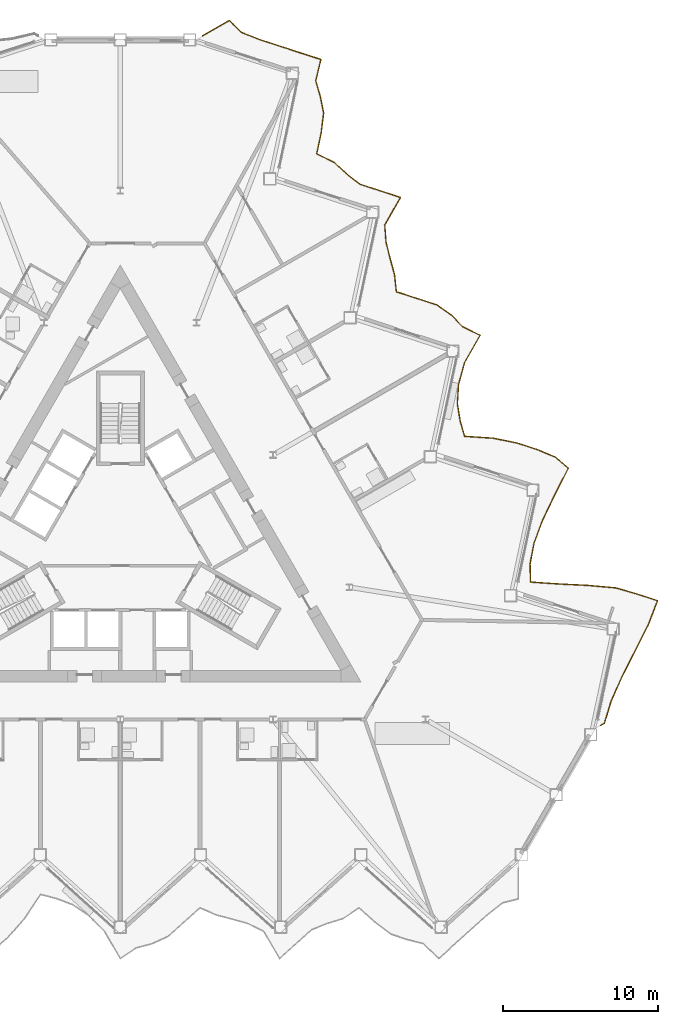
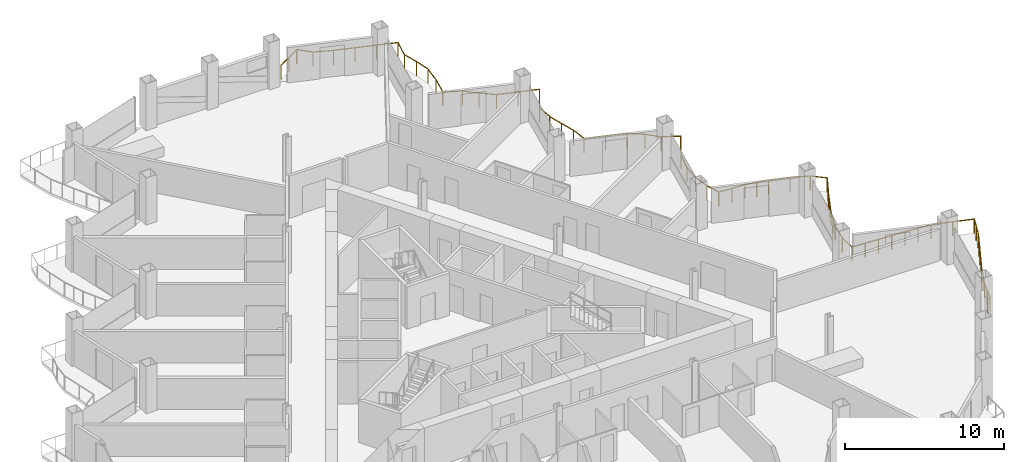
# One storey, part 21 of 23: 1 railing.
"""IFC4 building model written with IfcOpenShell, lengths in metres."""

from ifc_helpers import new_model, si_unit, direction, frame, origin, origin_2d, place, context, subcontext, project, spatial, circle, extrude, material, type_object, element, save


model = new_model("IFC4")

# Units and contexts
model_context = context("Model", 3, precision=1e-05, world=origin(), true_north=direction((0.0, 1.0)))
body_context = subcontext(model_context, "Body", "Model", "MODEL_VIEW")
ifc_project = project(units=[si_unit("LENGTHUNIT", "METRE"), si_unit("AREAUNIT", "SQUARE_METRE"), si_unit("VOLUMEUNIT", "CUBIC_METRE"), si_unit("PLANEANGLEUNIT", "RADIAN"), si_unit("MASSUNIT", "GRAM", prefix="KILO")], contexts=[model_context])

# Site, building, storey
site_placement = place(None, origin())
site = spatial("IfcSite", under=ifc_project, at=site_placement, CompositionType="ELEMENT")
building_placement = place(site_placement, origin())
building = spatial("IfcBuilding", under=site, at=building_placement, Name="Cormorant Prow Tower", CompositionType="ELEMENT")
storey_placement = place(building_placement, frame((0.0, 0.0, 180.0)))
storey = spatial("IfcBuildingStorey", under=building, at=storey_placement, Name="L38", CompositionType="ELEMENT", Elevation=180.0)

# Railing
ifc_material = material(Name="Aluminium 6063-T6", Category="aluminium")
railing_type = type_object("IfcRailingType", Name="Balcony guard 1100", PredefinedType="GUARDRAIL", material=ifc_material)
railing_placement = place(storey_placement, frame((30.9365234375, -11.740234375, 0.0)))
element("IfcRailing", 1, at=railing_placement, inside=storey, type_object=railing_type, Name="Balcony guard ENE", PredefinedType="GUARDRAIL", context=body_context, shape_type="SweptSolid", body=[
    extrude(circle(Radius=0.02392578125, at=origin_2d()), frame((0.0, 0.0, 1.076171875), z_axis=(0.866065156741, 0.499931139538, 0.0), x_axis=(-0.499931139538, 0.866065156741, 0.0)), (0.0, 0.0, 1.0), 0.27001953125),
    extrude(circle(Radius=0.02392578125, at=origin_2d()), frame((0.23388671875, 0.135009765625, 1.076171875), z_axis=(0.293516032745, 0.955954150847, 0.0), x_axis=(-0.955954150847, 0.293516032745, 0.0)), (0.0, 0.0, 1.0), 1.505615234375),
    extrude(circle(Radius=0.02392578125, at=origin_2d()), frame((0.67578125, 1.57421875, 1.076171875), z_axis=(0.406008472679, 0.913869312382, 0.0), x_axis=(-0.913869312382, 0.406008472679, 0.0)), (0.0, 0.0, 1.0), 1.74267578125),
    extrude(circle(Radius=0.02392578125, at=origin_2d()), frame((1.38330078125, 3.166748046875, 1.076171875), z_axis=(0.453484375537, 0.891264226335, 0.0), x_axis=(-0.891264226335, 0.453484375537, 0.0)), (0.0, 0.0, 1.0), 1.881103515625),
    extrude(circle(Radius=0.02392578125, at=origin_2d()), frame((2.236328125, 4.84326171875, 1.076171875), z_axis=(0.448208464574, 0.893929064459, 0.0), x_axis=(-0.893929064459, 0.448208464574, 0.0)), (0.0, 0.0, 1.0), 1.864501953125),
    extrude(circle(Radius=0.02392578125, at=origin_2d()), frame((3.072021484375, 6.510009765625, 1.076171875), z_axis=(0.360150924711, 0.932894051556, 0.0), x_axis=(-0.932894051556, 0.360150924711, 0.0)), (0.0, 0.0, 1.0), 1.633056640625),
    extrude(circle(Radius=0.02392578125, at=origin_2d()), frame((3.66015625, 8.033447265625, 1.076171875), z_axis=(-0.951096454731, 0.308894049472, 0.0), x_axis=(-0.308894049472, -0.951096454731, 0.0)), (0.0, 0.0, 1.0), 1.3798828125),
    extrude(circle(Radius=0.02392578125, at=origin_2d()), frame((2.34765625, 8.459716796875, 1.076171875), z_axis=(-0.959696633934, 0.28103802379, 0.0), x_axis=(-0.28103802379, -0.959696633934, 0.0)), (0.0, 0.0, 1.0), 1.417724609375),
    extrude(circle(Radius=0.02392578125, at=origin_2d()), frame((0.987060546875, 8.858154296875, 1.076171875), z_axis=(-0.99596256154, 0.089769571736, 0.0), x_axis=(-0.089769571736, -0.99596256154, 0.0)), (0.0, 0.0, 1.0), 1.78125),
    extrude(circle(Radius=0.02392578125, at=origin_2d()), frame((-0.787109375, 9.01806640625, 1.076171875), z_axis=(-0.99876998627, 0.04958340979, 0.0), x_axis=(-0.04958340979, -0.99876998627, 0.0)), (0.0, 0.0, 1.0), 1.890869140625),
    extrude(circle(Radius=0.02392578125, at=origin_2d()), frame((-2.675537109375, 9.11181640625, 1.076171875), z_axis=(-0.997766351323, 0.066800510237, 0.0), x_axis=(-0.066800510237, -0.997766351323, 0.0)), (0.0, 0.0, 1.0), 1.842041015625),
    extrude(circle(Radius=0.02392578125, at=origin_2d()), frame((-4.513427734375, 9.23486328125, 1.076171875), z_axis=(-0.031903113576, 0.999490966114, 0.0), x_axis=(-0.999490966114, -0.031903113576, 0.0)), (0.0, 0.0, 1.0), 1.1630859375),
    extrude(circle(Radius=0.02392578125, at=origin_2d()), frame((-4.550537109375, 10.3974609375, 1.076171875), z_axis=(0.189294523256, 0.98192035495, 0.0), x_axis=(-0.98192035495, 0.189294523256, 0.0)), (0.0, 0.0, 1.0), 1.356689453125),
    extrude(circle(Radius=0.02392578125, at=origin_2d()), frame((-4.293701171875, 11.729736328125, 1.076171875), z_axis=(0.348075950724, 0.937466336744, 0.0), x_axis=(-0.937466336744, 0.348075950724, 0.0)), (0.0, 0.0, 1.0), 1.607666015625),
    extrude(circle(Radius=0.02392578125, at=origin_2d()), frame((-3.734130859375, 13.23681640625, 1.076171875), z_axis=(0.432140689655, 0.901806201101, 0.0), x_axis=(-0.901806201101, 0.432140689655, 0.0)), (0.0, 0.0, 1.0), 1.815185546875),
    extrude(circle(Radius=0.02392578125, at=origin_2d()), frame((-2.94970703125, 14.873779296875, 1.076171875), z_axis=(0.457394618231, 0.889263832174, 0.0), x_axis=(-0.889263832174, 0.457394618231, 0.0)), (0.0, 0.0, 1.0), 1.893798828125),
    extrude(circle(Radius=0.02392578125, at=origin_2d()), frame((-2.08349609375, 16.557861328125, 1.076171875), z_axis=(-0.753552441172, 0.657387799098, 0.0), x_axis=(-0.657387799098, -0.753552441172, 0.0)), (0.0, 0.0, 1.0), 1.083984375),
    extrude(circle(Radius=0.02392578125, at=origin_2d()), frame((-2.900390625, 17.2705078125, 1.076171875), z_axis=(-0.923138487325, 0.384467597099, 0.0), x_axis=(-0.384467597099, -0.923138487325, 0.0)), (0.0, 0.0, 1.0), 1.290283203125),
    extrude(circle(Radius=0.02392578125, at=origin_2d()), frame((-4.091552734375, 17.7666015625, 1.076171875), z_axis=(-0.951027567221, 0.309106076267, 0.0), x_axis=(-0.309106076267, -0.951027567221, 0.0)), (0.0, 0.0, 1.0), 1.3798828125),
    extrude(circle(Radius=0.02392578125, at=origin_2d()), frame((-5.40380859375, 18.193115234375, 1.076171875), z_axis=(-0.980659137752, 0.195723415928, 0.0), x_axis=(-0.195723415928, -0.980659137752, 0.0)), (0.0, 0.0, 1.0), 1.55419921875),
    extrude(circle(Radius=0.02392578125, at=origin_2d()), frame((-6.927978515625, 18.497314453125, 1.076171875), z_axis=(-0.997805037739, 0.066220137891, 0.0), x_axis=(-0.066220137891, -0.997805037739, 0.0)), (0.0, 0.0, 1.0), 1.843505859375),
    extrude(circle(Radius=0.02392578125, at=origin_2d()), frame((-8.767333984375, 18.619384765625, 1.076171875), z_axis=(-0.273104735549, 0.961984305184, 0.0), x_axis=(-0.961984305184, -0.273104735549, 0.0)), (0.0, 0.0, 1.0), 1.0576171875),
    extrude(circle(Radius=0.02392578125, at=origin_2d()), frame((-9.05615234375, 19.63671875, 1.076171875), z_axis=(-0.157435427354, 0.987529283725, 0.0), x_axis=(-0.987529283725, -0.157435427354, 0.0)), (0.0, 0.0, 1.0), 1.097900390625),
    extrude(circle(Radius=0.02392578125, at=origin_2d()), frame((-9.22900390625, 20.720947265625, 1.076171875), z_axis=(0.060956655483, 0.998140414046, 0.0), x_axis=(-0.998140414046, 0.060956655483, 0.0)), (0.0, 0.0, 1.0), 1.2294921875),
    extrude(circle(Radius=0.02392578125, at=origin_2d()), frame((-9.154052734375, 21.9482421875, 1.076171875), z_axis=(0.263259196573, 0.96472513983, 0.0), x_axis=(-0.96472513983, 0.263259196573, 0.0)), (0.0, 0.0, 1.0), 1.45703125),
    extrude(circle(Radius=0.02392578125, at=origin_2d()), frame((-8.7705078125, 23.353759765625, 1.076171875), z_axis=(0.495453233492, 0.868634614451, 0.0), x_axis=(-0.868634614451, 0.495453233492, 0.0)), (0.0, 0.0, 1.0), 2.03271484375),
    extrude(circle(Radius=0.02392578125, at=origin_2d()), frame((-7.763427734375, 25.119384765625, 1.076171875), z_axis=(-0.896556330996, 0.442929729586, 0.0), x_axis=(-0.442929729586, -0.896556330996, 0.0)), (0.0, 0.0, 1.0), 1.232421875),
    extrude(circle(Radius=0.02392578125, at=origin_2d()), frame((-8.868408203125, 25.665283203125, 1.076171875), z_axis=(-0.704570306459, 0.709634189746, 0.0), x_axis=(-0.709634189746, -0.704570306459, 0.0)), (0.0, 0.0, 1.0), 1.060546875),
    extrude(circle(Radius=0.02392578125, at=origin_2d()), frame((-9.61572265625, 26.41796875, 1.076171875), z_axis=(-0.813000196815, 0.582263411163, 0.0), x_axis=(-0.582263411163, -0.813000196815, 0.0)), (0.0, 0.0, 1.0), 1.125732421875),
    extrude(circle(Radius=0.02392578125, at=origin_2d()), frame((-10.531005859375, 27.073486328125, 1.076171875), z_axis=(-0.951044468521, 0.309054071151, 0.0), x_axis=(-0.309054071151, -0.951044468521, 0.0)), (0.0, 0.0, 1.0), 1.380126953125),
    extrude(circle(Radius=0.02392578125, at=origin_2d()), frame((-11.843505859375, 27.5, 1.076171875), z_axis=(-0.951079570005, 0.308946033345, 0.0), x_axis=(-0.308946033345, -0.951079570005, 0.0)), (0.0, 0.0, 1.0), 1.379638671875),
    extrude(circle(Radius=0.02392578125, at=origin_2d()), frame((-13.15576171875, 27.92626953125, 1.076171875), z_axis=(-0.10851798639, 0.994094485766, 0.0), x_axis=(-0.994094485766, -0.10851798639, 0.0)), (0.0, 0.0, 1.0), 1.120361328125),
    extrude(circle(Radius=0.02392578125, at=origin_2d()), frame((-13.27734375, 29.0400390625, 1.076171875), z_axis=(-0.263877179936, 0.964556288616, 0.0), x_axis=(-0.964556288616, -0.263877179936, 0.0)), (0.0, 0.0, 1.0), 1.060302734375),
    extrude(circle(Radius=0.02392578125, at=origin_2d()), frame((-13.55712890625, 30.062744140625, 1.076171875), z_axis=(-0.244906747851, 0.969546638825, 0.0), x_axis=(-0.969546638825, -0.244906747851, 0.0)), (0.0, 0.0, 1.0), 1.065673828125),
    extrude(circle(Radius=0.02392578125, at=origin_2d()), frame((-13.818115234375, 31.095947265625, 1.076171875), z_axis=(-0.074645969894, 0.997210097812, 0.0), x_axis=(-0.997210097812, -0.074645969894, 0.0)), (0.0, 0.0, 1.0), 1.13818359375),
    extrude(circle(Radius=0.02392578125, at=origin_2d()), frame((-13.903076171875, 32.23095703125, 1.076171875), z_axis=(0.496861152108, 0.867830049909, 0.0), x_axis=(-0.867830049909, 0.496861152108, 0.0)), (0.0, 0.0, 1.0), 2.0380859375),
    extrude(circle(Radius=0.02392578125, at=origin_2d()), frame((-12.890380859375, 33.999755859375, 1.076171875), z_axis=(-0.951079570005, 0.308946033345, 0.0), x_axis=(-0.308946033345, -0.951079570005, 0.0)), (0.0, 0.0, 1.0), 1.379638671875),
    extrude(circle(Radius=0.02392578125, at=origin_2d()), frame((-14.20263671875, 34.426025390625, 1.076171875), z_axis=(-0.951044468521, 0.309054071151, 0.0), x_axis=(-0.309054071151, -0.951044468521, 0.0)), (0.0, 0.0, 1.0), 1.380126953125),
    extrude(circle(Radius=0.02392578125, at=origin_2d()), frame((-15.51513671875, 34.8525390625, 1.076171875), z_axis=(-0.786464009692, 0.617636107639, 0.0), x_axis=(-0.617636107639, -0.786464009692, 0.0)), (0.0, 0.0, 1.0), 1.104736328125),
    extrude(circle(Radius=0.02392578125, at=origin_2d()), frame((-16.384033203125, 35.534912109375, 1.076171875), z_axis=(-0.73419294038, 0.678940885715, 0.0), x_axis=(-0.678940885715, -0.73419294038, 0.0)), (0.0, 0.0, 1.0), 1.07373046875),
    extrude(circle(Radius=0.02392578125, at=origin_2d()), frame((-17.17236328125, 36.263916015625, 1.076171875), z_axis=(-0.898420732639, 0.439135727497, 0.0), x_axis=(-0.439135727497, -0.898420732639, 0.0)), (0.0, 0.0, 1.0), 1.23583984375),
    extrude(circle(Radius=0.02392578125, at=origin_2d()), frame((-18.28271484375, 36.806640625, 1.076171875), z_axis=(0.207873566928, 0.97815570344, 0.0), x_axis=(-0.97815570344, 0.207873566928, 0.0)), (0.0, 0.0, 1.0), 1.3798828125),
    extrude(circle(Radius=0.02392578125, at=origin_2d()), frame((-17.995849609375, 38.156494140625, 1.076171875), z_axis=(0.1220457222, 0.99252447914, 0.0), x_axis=(-0.99252447914, 0.1220457222, 0.0)), (0.0, 0.0, 1.0), 1.2841796875),
    extrude(circle(Radius=0.02392578125, at=origin_2d()), frame((-17.839111328125, 39.43115234375, 1.076171875), z_axis=(-0.196029372676, 0.980598024191, 0.0), x_axis=(-0.980598024191, -0.196029372676, 0.0)), (0.0, 0.0, 1.0), 1.082275390625),
    extrude(circle(Radius=0.02392578125, at=origin_2d()), frame((-18.05126953125, 40.492431640625, 1.076171875), z_axis=(-0.276795561182, 0.960928830513, 0.0), x_axis=(-0.960928830513, -0.276795561182, 0.0)), (0.0, 0.0, 1.0), 1.056640625),
    extrude(circle(Radius=0.02392578125, at=origin_2d()), frame((-18.34375, 41.5078125, 1.076171875), z_axis=(0.231238316369, 0.972897137956, 0.0), x_axis=(-0.972897137956, 0.231238316369, 0.0)), (0.0, 0.0, 1.0), 1.41064453125),
    extrude(circle(Radius=0.02392578125, at=origin_2d()), frame((-18.017578125, 42.880126953125, 1.076171875), z_axis=(-0.951027567221, 0.309106076267, 0.0), x_axis=(-0.309106076267, -0.951027567221, 0.0)), (0.0, 0.0, 1.0), 1.3798828125),
    extrude(circle(Radius=0.02392578125, at=origin_2d()), frame((-19.329833984375, 43.306640625, 1.076171875), z_axis=(-0.951079570005, 0.308946033345, 0.0), x_axis=(-0.308946033345, -0.951079570005, 0.0)), (0.0, 0.0, 1.0), 1.379638671875),
    extrude(circle(Radius=0.02392578125, at=origin_2d()), frame((-20.64208984375, 43.73291015625, 1.076171875), z_axis=(-0.951027567221, 0.309106076267, 0.0), x_axis=(-0.309106076267, -0.951027567221, 0.0)), (0.0, 0.0, 1.0), 1.3798828125),
    extrude(circle(Radius=0.02392578125, at=origin_2d()), frame((-21.954345703125, 44.159423828125, 1.076171875), z_axis=(-0.929859808769, 0.367914033486, 0.0), x_axis=(-0.367914033486, -0.929859808769, 0.0)), (0.0, 0.0, 1.0), 1.30859375),
    extrude(circle(Radius=0.02392578125, at=origin_2d()), frame((-23.171142578125, 44.640869140625, 1.076171875), z_axis=(-0.696877293375, 0.717190377779, 0.0), x_axis=(-0.717190377779, -0.696877293375, 0.0)), (0.0, 0.0, 1.0), 1.0576171875),
    extrude(circle(Radius=0.02392578125, at=origin_2d()), frame((-23.908203125, 45.3994140625, 1.076171875), z_axis=(-0.866042919053, -0.499969661438, 0.0), x_axis=(0.499969661438, -0.866042919053, 0.0)), (0.0, 0.0, 1.0), 1.99462890625),
    extrude(circle(Radius=0.02099609375, at=origin_2d()), origin(), (0.0, 0.0, 1.0), 1.052001953125),
    extrude(circle(Radius=0.02099609375, at=origin_2d()), frame((0.23388671875, 0.135009765625, 0.0)), (0.0, 0.0, 1.0), 1.052001953125),
    extrude(circle(Radius=0.02099609375, at=origin_2d()), frame((0.454833984375, 0.8544921875, 0.0)), (0.0, 0.0, 1.0), 1.052001953125),
    extrude(circle(Radius=0.02099609375, at=origin_2d()), frame((0.67578125, 1.57421875, 0.0)), (0.0, 0.0, 1.0), 1.052001953125),
    extrude(circle(Radius=0.02099609375, at=origin_2d()), frame((1.029541015625, 2.37060546875, 0.0)), (0.0, 0.0, 1.0), 1.052001953125),
    extrude(circle(Radius=0.02099609375, at=origin_2d()), frame((1.38330078125, 3.166748046875, 0.0)), (0.0, 0.0, 1.0), 1.052001953125),
    extrude(circle(Radius=0.02099609375, at=origin_2d()), frame((1.809814453125, 4.0048828125, 0.0)), (0.0, 0.0, 1.0), 1.052001953125),
    extrude(circle(Radius=0.02099609375, at=origin_2d()), frame((2.236328125, 4.84326171875, 0.0)), (0.0, 0.0, 1.0), 1.052001953125),
    extrude(circle(Radius=0.02099609375, at=origin_2d()), frame((2.654296875, 5.6767578125, 0.0)), (0.0, 0.0, 1.0), 1.052001953125),
    extrude(circle(Radius=0.02099609375, at=origin_2d()), frame((3.072021484375, 6.510009765625, 0.0)), (0.0, 0.0, 1.0), 1.052001953125),
    extrude(circle(Radius=0.02099609375, at=origin_2d()), frame((3.3662109375, 7.271728515625, 0.0)), (0.0, 0.0, 1.0), 1.052001953125),
    extrude(circle(Radius=0.02099609375, at=origin_2d()), frame((3.66015625, 8.033447265625, 0.0)), (0.0, 0.0, 1.0), 1.052001953125),
    extrude(circle(Radius=0.02099609375, at=origin_2d()), frame((2.34765625, 8.459716796875, 0.0)), (0.0, 0.0, 1.0), 1.052001953125),
    extrude(circle(Radius=0.02099609375, at=origin_2d()), frame((0.987060546875, 8.858154296875, 0.0)), (0.0, 0.0, 1.0), 1.052001953125),
    extrude(circle(Radius=0.02099609375, at=origin_2d()), frame((0.10009765625, 8.93798828125, 0.0)), (0.0, 0.0, 1.0), 1.052001953125),
    extrude(circle(Radius=0.02099609375, at=origin_2d()), frame((-0.787109375, 9.01806640625, 0.0)), (0.0, 0.0, 1.0), 1.052001953125),
    extrude(circle(Radius=0.02099609375, at=origin_2d()), frame((-1.7314453125, 9.06494140625, 0.0)), (0.0, 0.0, 1.0), 1.052001953125),
    extrude(circle(Radius=0.02099609375, at=origin_2d()), frame((-2.675537109375, 9.11181640625, 0.0)), (0.0, 0.0, 1.0), 1.052001953125),
    extrude(circle(Radius=0.02099609375, at=origin_2d()), frame((-3.594482421875, 9.17333984375, 0.0)), (0.0, 0.0, 1.0), 1.052001953125),
    extrude(circle(Radius=0.02099609375, at=origin_2d()), frame((-4.513427734375, 9.23486328125, 0.0)), (0.0, 0.0, 1.0), 1.052001953125),
    extrude(circle(Radius=0.02099609375, at=origin_2d()), frame((-4.550537109375, 10.3974609375, 0.0)), (0.0, 0.0, 1.0), 1.052001953125),
    extrude(circle(Radius=0.02099609375, at=origin_2d()), frame((-4.293701171875, 11.729736328125, 0.0)), (0.0, 0.0, 1.0), 1.052001953125),
    extrude(circle(Radius=0.02099609375, at=origin_2d()), frame((-4.013916015625, 12.4833984375, 0.0)), (0.0, 0.0, 1.0), 1.052001953125),
    extrude(circle(Radius=0.02099609375, at=origin_2d()), frame((-3.734130859375, 13.23681640625, 0.0)), (0.0, 0.0, 1.0), 1.052001953125),
    extrude(circle(Radius=0.02099609375, at=origin_2d()), frame((-3.341796875, 14.05517578125, 0.0)), (0.0, 0.0, 1.0), 1.052001953125),
    extrude(circle(Radius=0.02099609375, at=origin_2d()), frame((-2.94970703125, 14.873779296875, 0.0)), (0.0, 0.0, 1.0), 1.052001953125),
    extrude(circle(Radius=0.02099609375, at=origin_2d()), frame((-2.5166015625, 15.7158203125, 0.0)), (0.0, 0.0, 1.0), 1.052001953125),
    extrude(circle(Radius=0.02099609375, at=origin_2d()), frame((-2.08349609375, 16.557861328125, 0.0)), (0.0, 0.0, 1.0), 1.052001953125),
    extrude(circle(Radius=0.02099609375, at=origin_2d()), frame((-2.900390625, 17.2705078125, 0.0)), (0.0, 0.0, 1.0), 1.052001953125),
    extrude(circle(Radius=0.02099609375, at=origin_2d()), frame((-4.091552734375, 17.7666015625, 0.0)), (0.0, 0.0, 1.0), 1.052001953125),
    extrude(circle(Radius=0.02099609375, at=origin_2d()), frame((-5.40380859375, 18.193115234375, 0.0)), (0.0, 0.0, 1.0), 1.052001953125),
    extrude(circle(Radius=0.02099609375, at=origin_2d()), frame((-6.166015625, 18.34521484375, 0.0)), (0.0, 0.0, 1.0), 1.052001953125),
    extrude(circle(Radius=0.02099609375, at=origin_2d()), frame((-6.927978515625, 18.497314453125, 0.0)), (0.0, 0.0, 1.0), 1.052001953125),
    extrude(circle(Radius=0.02099609375, at=origin_2d()), frame((-7.84765625, 18.558349609375, 0.0)), (0.0, 0.0, 1.0), 1.052001953125),
    extrude(circle(Radius=0.02099609375, at=origin_2d()), frame((-8.767333984375, 18.619384765625, 0.0)), (0.0, 0.0, 1.0), 1.052001953125),
    extrude(circle(Radius=0.02099609375, at=origin_2d()), frame((-9.05615234375, 19.63671875, 0.0)), (0.0, 0.0, 1.0), 1.052001953125),
    extrude(circle(Radius=0.02099609375, at=origin_2d()), frame((-9.22900390625, 20.720947265625, 0.0)), (0.0, 0.0, 1.0), 1.052001953125),
    extrude(circle(Radius=0.02099609375, at=origin_2d()), frame((-9.154052734375, 21.9482421875, 0.0)), (0.0, 0.0, 1.0), 1.052001953125),
    extrude(circle(Radius=0.02099609375, at=origin_2d()), frame((-8.7705078125, 23.353759765625, 0.0)), (0.0, 0.0, 1.0), 1.052001953125),
    extrude(circle(Radius=0.02099609375, at=origin_2d()), frame((-8.26708984375, 24.236572265625, 0.0)), (0.0, 0.0, 1.0), 1.052001953125),
    extrude(circle(Radius=0.02099609375, at=origin_2d()), frame((-7.763427734375, 25.119384765625, 0.0)), (0.0, 0.0, 1.0), 1.052001953125),
    extrude(circle(Radius=0.02099609375, at=origin_2d()), frame((-8.868408203125, 25.665283203125, 0.0)), (0.0, 0.0, 1.0), 1.052001953125),
    extrude(circle(Radius=0.02099609375, at=origin_2d()), frame((-9.61572265625, 26.41796875, 0.0)), (0.0, 0.0, 1.0), 1.052001953125),
    extrude(circle(Radius=0.02099609375, at=origin_2d()), frame((-10.531005859375, 27.073486328125, 0.0)), (0.0, 0.0, 1.0), 1.052001953125),
    extrude(circle(Radius=0.02099609375, at=origin_2d()), frame((-11.843505859375, 27.5, 0.0)), (0.0, 0.0, 1.0), 1.052001953125),
    extrude(circle(Radius=0.02099609375, at=origin_2d()), frame((-13.15576171875, 27.92626953125, 0.0)), (0.0, 0.0, 1.0), 1.052001953125),
    extrude(circle(Radius=0.02099609375, at=origin_2d()), frame((-13.27734375, 29.0400390625, 0.0)), (0.0, 0.0, 1.0), 1.052001953125),
    extrude(circle(Radius=0.02099609375, at=origin_2d()), frame((-13.55712890625, 30.062744140625, 0.0)), (0.0, 0.0, 1.0), 1.052001953125),
    extrude(circle(Radius=0.02099609375, at=origin_2d()), frame((-13.818115234375, 31.095947265625, 0.0)), (0.0, 0.0, 1.0), 1.052001953125),
    extrude(circle(Radius=0.02099609375, at=origin_2d()), frame((-13.903076171875, 32.23095703125, 0.0)), (0.0, 0.0, 1.0), 1.052001953125),
    extrude(circle(Radius=0.02099609375, at=origin_2d()), frame((-13.396728515625, 33.115234375, 0.0)), (0.0, 0.0, 1.0), 1.052001953125),
    extrude(circle(Radius=0.02099609375, at=origin_2d()), frame((-12.890380859375, 33.999755859375, 0.0)), (0.0, 0.0, 1.0), 1.052001953125),
    extrude(circle(Radius=0.02099609375, at=origin_2d()), frame((-14.20263671875, 34.426025390625, 0.0)), (0.0, 0.0, 1.0), 1.052001953125),
    extrude(circle(Radius=0.02099609375, at=origin_2d()), frame((-15.51513671875, 34.8525390625, 0.0)), (0.0, 0.0, 1.0), 1.052001953125),
    extrude(circle(Radius=0.02099609375, at=origin_2d()), frame((-16.384033203125, 35.534912109375, 0.0)), (0.0, 0.0, 1.0), 1.052001953125),
    extrude(circle(Radius=0.02099609375, at=origin_2d()), frame((-17.17236328125, 36.263916015625, 0.0)), (0.0, 0.0, 1.0), 1.052001953125),
    extrude(circle(Radius=0.02099609375, at=origin_2d()), frame((-18.28271484375, 36.806640625, 0.0)), (0.0, 0.0, 1.0), 1.052001953125),
    extrude(circle(Radius=0.02099609375, at=origin_2d()), frame((-17.995849609375, 38.156494140625, 0.0)), (0.0, 0.0, 1.0), 1.052001953125),
    extrude(circle(Radius=0.02099609375, at=origin_2d()), frame((-17.839111328125, 39.43115234375, 0.0)), (0.0, 0.0, 1.0), 1.052001953125),
    extrude(circle(Radius=0.02099609375, at=origin_2d()), frame((-18.05126953125, 40.492431640625, 0.0)), (0.0, 0.0, 1.0), 1.052001953125),
    extrude(circle(Radius=0.02099609375, at=origin_2d()), frame((-18.34375, 41.5078125, 0.0)), (0.0, 0.0, 1.0), 1.052001953125),
    extrude(circle(Radius=0.02099609375, at=origin_2d()), frame((-18.017578125, 42.880126953125, 0.0)), (0.0, 0.0, 1.0), 1.052001953125),
    extrude(circle(Radius=0.02099609375, at=origin_2d()), frame((-19.329833984375, 43.306640625, 0.0)), (0.0, 0.0, 1.0), 1.052001953125),
    extrude(circle(Radius=0.02099609375, at=origin_2d()), frame((-20.64208984375, 43.73291015625, 0.0)), (0.0, 0.0, 1.0), 1.052001953125),
    extrude(circle(Radius=0.02099609375, at=origin_2d()), frame((-21.954345703125, 44.159423828125, 0.0)), (0.0, 0.0, 1.0), 1.052001953125),
    extrude(circle(Radius=0.02099609375, at=origin_2d()), frame((-23.171142578125, 44.640869140625, 0.0)), (0.0, 0.0, 1.0), 1.052001953125),
    extrude(circle(Radius=0.02099609375, at=origin_2d()), frame((-23.908203125, 45.3994140625, 0.0)), (0.0, 0.0, 1.0), 1.052001953125),
    extrude(circle(Radius=0.02099609375, at=origin_2d()), frame((-24.77197265625, 44.90087890625, 0.0)), (0.0, 0.0, 1.0), 1.052001953125),
    extrude(circle(Radius=0.02099609375, at=origin_2d()), frame((-25.6357421875, 44.402099609375, 0.0)), (0.0, 0.0, 1.0), 1.052001953125),
])

save(model, "model.ifc")
